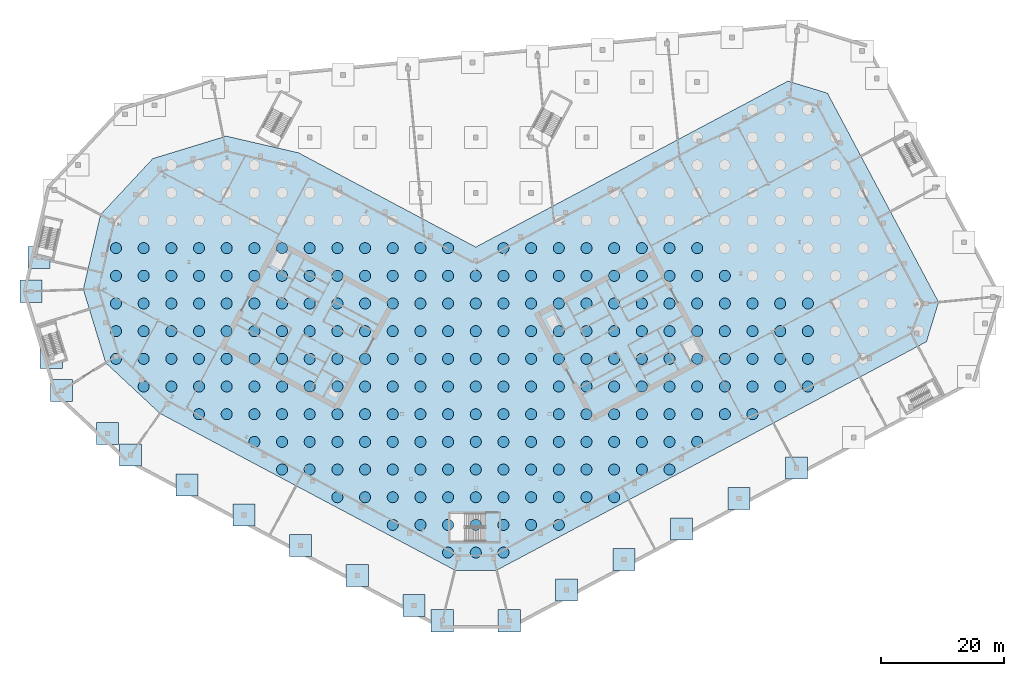
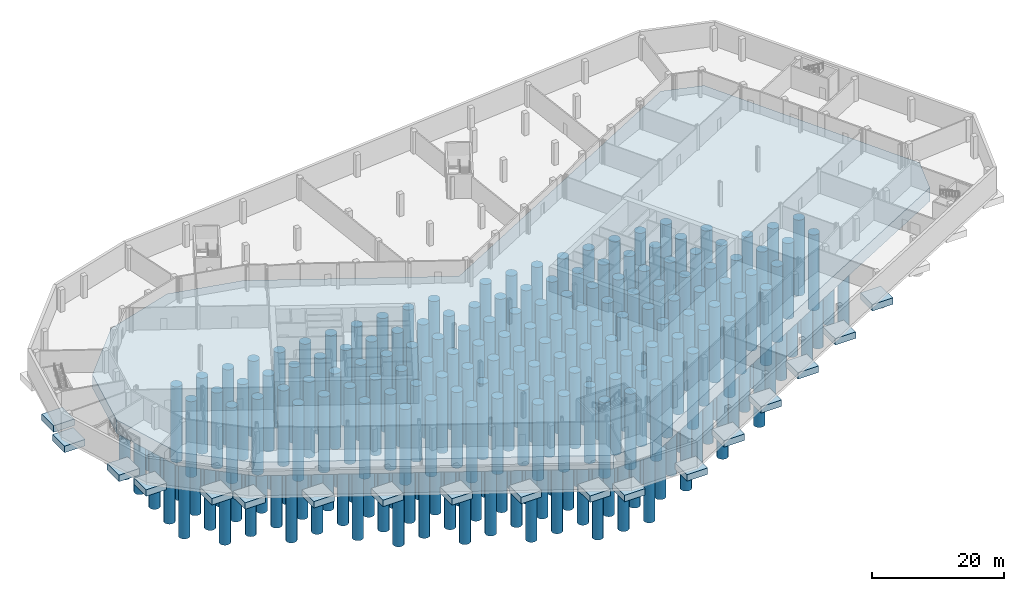
# One storey, part 1 of 29: 221 piles, 19 footings.
"""IFC4 building model written with IfcOpenShell, lengths in metres."""

import ifcopenshell
import ifcopenshell.guid

model = None  # the IFC model being written
_history = None  # IfcOwnerHistory: only IFC2X3 demands one
_inside = {}  # id of a spatial element -> (the spatial element, [elements in it])
_under = {}  # id of a project, library or spatial element -> (it, [spatial elements below it])
_declared = {}  # id of a project -> (the project, [libraries it declares])
_typed = {}  # id of a type object -> (the type object, [elements of that type])
_made_of = {}  # id of a material, layer set ... -> (it, [elements and type objects made of it])


def new_model(schema):
    """Start an empty IFC model of exactly this schema.

    Asked for "IFC4X3", IfcOpenShell would pick the latest addendum, in which some entities
    have other attributes; the version numbers below select the first issue.
    IFC2X3 requires an IfcOwnerHistory on every rooted entity: one is made here for all.
    """
    global model, _history
    if schema == "IFC4X3":
        model = ifcopenshell.file(schema_version=(4, 3, 0, 0))
    else:
        model = ifcopenshell.file(schema=schema)
    _inside.clear()
    _under.clear()
    _declared.clear()
    _typed.clear()
    _made_of.clear()
    _history = None
    if model.schema == "IFC2X3":
        org = make("IfcOrganization", Name="unknown")
        user = make(
            "IfcPersonAndOrganization",
            ThePerson=make("IfcPerson", FamilyName="unknown"),
            TheOrganization=org,
        )
        app = make(
            "IfcApplication",
            ApplicationDeveloper=org,
            Version="unknown",
            ApplicationFullName="unknown",
            ApplicationIdentifier="unknown",
        )
        _history = make(
            "IfcOwnerHistory",
            OwningUser=user,
            OwningApplication=app,
            ChangeAction="ADDED",
            CreationDate=0,
        )
    return model


def make(cls, **values):
    """One entity of the class cls with the attributes given. An attribute that is None is left unset."""
    return model.create_entity(
        cls, **{name: value for name, value in values.items() if value is not None}
    )


def rooted(cls, **values):
    """An entity with a GlobalId (a new one), such as an element, a storey or a relation."""
    return make(cls, GlobalId=ifcopenshell.guid.new(), OwnerHistory=_history, **values)


def si_unit(unit_type, name, prefix=None):
    """IfcSIUnit, for example si_unit("LENGTHUNIT", "METRE", prefix="MILLI")."""
    return make("IfcSIUnit", UnitType=unit_type, Prefix=prefix, Name=name)


def assignment(units):
    """IfcUnitAssignment: the units of a project."""
    return None if units is None else make("IfcUnitAssignment", Units=units)


def point(xyz):
    """IfcCartesianPoint."""
    return None if xyz is None else make("IfcCartesianPoint", Coordinates=xyz)


def direction(xyz):
    """IfcDirection."""
    return None if xyz is None else make("IfcDirection", DirectionRatios=xyz)


def frame(location, z_axis=None, x_axis=None):
    """IfcAxis2Placement3D, a coordinate frame: its origin and axes. An axis left out is left unset."""
    return make(
        "IfcAxis2Placement3D",
        Location=point(location),
        Axis=direction(z_axis),
        RefDirection=direction(x_axis),
    )


def frame_2d(location, x_axis=None):
    """IfcAxis2Placement2D, a coordinate frame in the plane: its origin and x axis."""
    return make(
        "IfcAxis2Placement2D", Location=point(location), RefDirection=direction(x_axis)
    )


def origin():
    """The frame at (0, 0, 0) with its axes left unset."""
    return frame((0.0, 0.0, 0.0))


def origin_2d():
    """The frame at (0, 0) in the plane with its x axis left unset."""
    return frame_2d((0.0, 0.0))


def place(relative_to, where):
    """IfcLocalPlacement: puts the frame where relative to a parent placement (None: the world)."""
    return make(
        "IfcLocalPlacement", PlacementRelTo=relative_to, RelativePlacement=where
    )


def context(
    kind, dimensions, precision=None, world=None, true_north=None, identifier=None
):
    """IfcGeometricRepresentationContext, for example the 3D "Model" context."""
    return make(
        "IfcGeometricRepresentationContext",
        ContextIdentifier=identifier,
        ContextType=kind,
        CoordinateSpaceDimension=dimensions,
        Precision=precision,
        WorldCoordinateSystem=world,
        TrueNorth=true_north,
    )


def subcontext(parent, identifier, kind, view, scale=None):
    """IfcGeometricRepresentationSubContext, for example "Body" below "Model"."""
    return make(
        "IfcGeometricRepresentationSubContext",
        ContextIdentifier=identifier,
        ContextType=kind,
        ParentContext=parent,
        TargetScale=scale,
        TargetView=view,
    )


def project(units=None, contexts=None):
    """IfcProject with its units and contexts."""
    return rooted(
        "IfcProject",
        Name="project",
        RepresentationContexts=contexts,
        UnitsInContext=assignment(units),
    )


def spatial(cls, under=None, at=None, **own):
    """A site, building, storey or space (cls), placed at a placement, below another one or the project."""
    s = rooted(cls, ObjectPlacement=at, **own)
    if under is not None:
        _under.setdefault(under.id(), (under, []))[1].append(s)
    return s


def polyline(points):
    """IfcPolyline through the points."""
    return make("IfcPolyline", Points=[point(p) for p in points])


def profile(cls, at=None, kind="AREA", **sizes):
    """A parametric profile (cls). Its sizes go by their IFC names, for example OverallWidth=200.0."""
    return make(cls, ProfileType=kind, Position=at, **sizes)


def circle(**sizes):
    """IfcCircleProfileDef."""
    return profile("IfcCircleProfileDef", **sizes)


def outline(outer, holes=None, kind="AREA"):
    """IfcArbitraryClosedProfileDef: a profile drawn as a closed curve; with holes, ...WithVoids."""
    if holes is None:
        return make("IfcArbitraryClosedProfileDef", ProfileType=kind, OuterCurve=outer)
    return make(
        "IfcArbitraryProfileDefWithVoids",
        ProfileType=kind,
        OuterCurve=outer,
        InnerCurves=holes,
    )


def extrude(swept, where, along, depth):
    """IfcExtrudedAreaSolid: the profile swept, set in the frame where, extruded along a direction by depth."""
    return make(
        "IfcExtrudedAreaSolid",
        SweptArea=swept,
        Position=where,
        ExtrudedDirection=direction(along),
        Depth=depth,
    )


def shape(context_of_items, identifier, shape_type, items):
    """IfcShapeRepresentation: the items that make up one representation, for example the "Body"."""
    return make(
        "IfcShapeRepresentation",
        ContextOfItems=context_of_items,
        RepresentationIdentifier=identifier,
        RepresentationType=shape_type,
        Items=items,
    )


def material(Name=None, Category=None):
    """IfcMaterial."""
    return make("IfcMaterial", Name=Name, Category=Category)


def layer(
    of_material, thickness, ventilated=None, Name=None, Category=None, Priority=None
):
    """IfcMaterialLayer: one layer of a wall or slab, of a material (None: an air gap)."""
    return make(
        "IfcMaterialLayer",
        Material=of_material,
        LayerThickness=thickness,
        IsVentilated=ventilated,
        Name=Name,
        Category=Category,
        Priority=Priority,
    )


def layer_set(layers, Name=None):
    """IfcMaterialLayerSet."""
    return make("IfcMaterialLayerSet", MaterialLayers=layers, LayerSetName=Name)


def material_profile(
    of_material, cross_section, Name=None, Category=None, Priority=None
):
    """IfcMaterialProfile: a cross section and its material."""
    return make(
        "IfcMaterialProfile",
        Name=Name,
        Material=of_material,
        Profile=cross_section,
        Priority=Priority,
        Category=Category,
    )


def profile_set(profiles, Name=None, composite=None):
    """IfcMaterialProfileSet."""
    return make(
        "IfcMaterialProfileSet",
        Name=Name,
        MaterialProfiles=profiles,
        CompositeProfile=composite,
    )


def made_of(thing, what):
    """Note that an element or type object is made of a material, layer set ...; save() writes the relation."""
    if what is not None:
        _made_of.setdefault(what.id(), (what, []))[1].append(thing)
    return thing


def type_object(cls, material=None, **own):
    """A type object (cls), such as IfcWallType, which elements share."""
    return made_of(rooted(cls, **own), material)


def element(
    cls,
    number,
    at=None,
    inside=None,
    cuts=None,
    type_object=None,
    material=None,
    context=None,
    identifier="Body",
    shape_type=None,
    held_by="IfcProductDefinitionShape",
    body=None,
    shapes=None,
    **own,
):
    """One element of the class cls, such as IfcWall. Its Tag is "e" and its number.

    at: its placement. inside: the storey or other place that contains it. cuts: it is an
    opening in that element (IfcRelVoidsElement). A single representation is given by context,
    identifier, shape_type and body (its items); several are given by shapes. held_by: the class
    of the entity that holds the representations. save() writes the other relations.
    """
    e = rooted(cls, Tag="e%d" % number, ObjectPlacement=at, **own)
    if body is not None:
        shapes = [shape(context, identifier, shape_type, body)]
    if shapes is not None:
        e.Representation = make(held_by, Representations=shapes)
    if inside is not None:
        _inside.setdefault(inside.id(), (inside, []))[1].append(e)
    if cuts is not None:
        rooted(
            "IfcRelVoidsElement", RelatingBuildingElement=cuts, RelatedOpeningElement=e
        )
    if type_object is not None:
        _typed.setdefault(type_object.id(), (type_object, []))[1].append(e)
    return made_of(e, material)


def aggregate(whole, parts):
    """IfcRelAggregates: a whole, such as a stair, and the parts it consists of."""
    return rooted("IfcRelAggregates", RelatingObject=whole, RelatedObjects=parts)


def save(model, path):
    """Write the relations noted so far, then the file.

    IfcRelAggregates (storeys below a building ...), IfcRelContainedInSpatialStructure (elements
    in a storey), IfcRelDefinesByType, IfcRelAssociatesMaterial and IfcRelDeclares: one each for
    every whole, place, type object, material and project.
    """
    for whole, parts in _under.values():
        aggregate(whole, parts)
    for where, things in _inside.values():
        rooted(
            "IfcRelContainedInSpatialStructure",
            RelatedElements=things,
            RelatingStructure=where,
        )
    for kind, things in _typed.values():
        rooted("IfcRelDefinesByType", RelatedObjects=things, RelatingType=kind)
    for what, things in _made_of.values():
        rooted("IfcRelAssociatesMaterial", RelatedObjects=things, RelatingMaterial=what)
    for by, libraries in _declared.values():
        rooted("IfcRelDeclares", RelatingContext=by, RelatedDefinitions=libraries)
    model.write(path)


model = new_model("IFC4")

# Units and contexts
model_context = context("Model", 3, precision=1e-05, world=origin(), true_north=direction((0.0, 1.0)))
body_context = subcontext(model_context, "Body", "Model", "MODEL_VIEW")
ifc_project = project(units=[si_unit("LENGTHUNIT", "METRE"), si_unit("AREAUNIT", "SQUARE_METRE"), si_unit("VOLUMEUNIT", "CUBIC_METRE"), si_unit("PLANEANGLEUNIT", "RADIAN"), si_unit("MASSUNIT", "GRAM", prefix="KILO")], contexts=[model_context])

# Site, building, storey
site_placement = place(None, origin())
site = spatial("IfcSite", under=ifc_project, at=site_placement, CompositionType="ELEMENT")
building_placement = place(site_placement, origin())
building = spatial("IfcBuilding", under=site, at=building_placement, Name="Cormorant Relay Tower", CompositionType="ELEMENT")
storey_placement = place(building_placement, frame((0.0, 0.0, -9.0)))
storey = spatial("IfcBuildingStorey", under=building, at=storey_placement, Name="B2", CompositionType="ELEMENT", Elevation=-9.0)

# Footings
ifc_material_1 = material(Name="Concrete 40 MPa", Category="concrete")
ifc_layer_1 = layer(ifc_material_1, 1.199951171875)
ifc_layer_set_1 = layer_set([ifc_layer_1], Name="Base pad footing 3600")
footing_type_1 = type_object("IfcFootingType", Name="Base pad footing 3600", PredefinedType="PAD_FOOTING", material=ifc_layer_set_1)
footing_1_placement = place(storey_placement, frame((0.0, 0.0, -1.699951171875)))
element("IfcFooting", 1, at=footing_1_placement, inside=storey, type_object=footing_type_1, Name="Base pad footing", PredefinedType="PAD_FOOTING", context=body_context, shape_type="SweptSolid", body=[
    extrude(outline(polyline([(-7.240966796875, -35.3759765625), (-3.64111328125, -35.3759765625), (-3.64111328125, -31.77587890625), (-7.240966796875, -31.77587890625), (-7.240966796875, -35.3759765625)])), origin(), (0.0, 0.0, 1.0), 1.199951171875),
])
footing_2_placement = place(storey_placement, frame((0.0, 0.0, -1.699951171875)))
element("IfcFooting", 2, at=footing_2_placement, inside=storey, type_object=footing_type_1, Name="Base pad footing", PredefinedType="PAD_FOOTING", context=body_context, shape_type="SweptSolid", body=[
    extrude(outline(polyline([(3.64111328125, -35.3759765625), (7.240966796875, -35.3759765625), (7.240966796875, -31.77587890625), (3.64111328125, -31.77587890625), (3.64111328125, -35.3759765625)])), origin(), (0.0, 0.0, 1.0), 1.199951171875),
])
footing_3_placement = place(storey_placement, frame((0.0, 0.0, -1.699951171875)))
element("IfcFooting", 3, at=footing_3_placement, inside=storey, type_object=footing_type_1, Name="Base pad footing", PredefinedType="PAD_FOOTING", context=body_context, shape_type="SweptSolid", body=[
    extrude(outline(polyline([(-11.85107421875, -32.924072265625), (-8.2509765625, -32.924072265625), (-8.2509765625, -29.323974609375), (-11.85107421875, -29.323974609375), (-11.85107421875, -32.924072265625)])), origin(), (0.0, 0.0, 1.0), 1.199951171875),
])
footing_4_placement = place(storey_placement, frame((0.0, 0.0, -1.699951171875)))
element("IfcFooting", 4, at=footing_4_placement, inside=storey, type_object=footing_type_1, Name="Base pad footing", PredefinedType="PAD_FOOTING", context=body_context, shape_type="SweptSolid", body=[
    extrude(outline(polyline([(12.97802734375, -30.410888671875), (16.577880859375, -30.410888671875), (16.577880859375, -26.81103515625), (12.97802734375, -26.81103515625), (12.97802734375, -30.410888671875)])), origin(), (0.0, 0.0, 1.0), 1.199951171875),
])
footing_5_placement = place(storey_placement, frame((0.0, 0.0, -1.699951171875)))
element("IfcFooting", 5, at=footing_5_placement, inside=storey, type_object=footing_type_1, Name="Base pad footing", PredefinedType="PAD_FOOTING", context=body_context, shape_type="SweptSolid", body=[
    extrude(outline(polyline([(-21.071044921875, -28.02197265625), (-17.470947265625, -28.02197265625), (-17.470947265625, -24.422119140625), (-21.071044921875, -24.422119140625), (-21.071044921875, -28.02197265625)])), origin(), (0.0, 0.0, 1.0), 1.199951171875),
])
footing_6_placement = place(storey_placement, frame((0.0, 0.0, -1.699951171875)))
element("IfcFooting", 6, at=footing_6_placement, inside=storey, type_object=footing_type_1, Name="Base pad footing", PredefinedType="PAD_FOOTING", context=body_context, shape_type="SweptSolid", body=[
    extrude(outline(polyline([(22.31494140625, -25.447021484375), (25.9150390625, -25.447021484375), (25.9150390625, -21.846923828125), (22.31494140625, -21.846923828125), (22.31494140625, -25.447021484375)])), origin(), (0.0, 0.0, 1.0), 1.199951171875),
])
footing_7_placement = place(storey_placement, frame((0.0, 0.0, -1.699951171875)))
element("IfcFooting", 7, at=footing_7_placement, inside=storey, type_object=footing_type_1, Name="Base pad footing", PredefinedType="PAD_FOOTING", context=body_context, shape_type="SweptSolid", body=[
    extrude(outline(polyline([(-30.291015625, -23.1201171875), (-26.69091796875, -23.1201171875), (-26.69091796875, -19.52001953125), (-30.291015625, -19.52001953125), (-30.291015625, -23.1201171875)])), origin(), (0.0, 0.0, 1.0), 1.199951171875),
])
footing_8_placement = place(storey_placement, frame((0.0, 0.0, -1.699951171875)))
element("IfcFooting", 8, at=footing_8_placement, inside=storey, type_object=footing_type_1, Name="Base pad footing", PredefinedType="PAD_FOOTING", context=body_context, shape_type="SweptSolid", body=[
    extrude(outline(polyline([(31.652099609375, -20.48193359375), (35.251953125, -20.48193359375), (35.251953125, -16.882080078125), (31.652099609375, -16.882080078125), (31.652099609375, -20.48193359375)])), origin(), (0.0, 0.0, 1.0), 1.199951171875),
])
footing_9_placement = place(storey_placement, frame((0.0, 0.0, -1.699951171875)))
element("IfcFooting", 9, at=footing_9_placement, inside=storey, type_object=footing_type_1, Name="Base pad footing", PredefinedType="PAD_FOOTING", context=body_context, shape_type="SweptSolid", body=[
    extrude(outline(polyline([(-39.510986328125, -18.217041015625), (-35.910888671875, -18.217041015625), (-35.910888671875, -14.616943359375), (-39.510986328125, -14.616943359375), (-39.510986328125, -18.217041015625)])), origin(), (0.0, 0.0, 1.0), 1.199951171875),
])
footing_10_placement = place(storey_placement, frame((0.0, 0.0, -1.699951171875)))
element("IfcFooting", 10, at=footing_10_placement, inside=storey, type_object=footing_type_1, Name="Base pad footing", PredefinedType="PAD_FOOTING", context=body_context, shape_type="SweptSolid", body=[
    extrude(outline(polyline([(40.989013671875, -15.51708984375), (44.589111328125, -15.51708984375), (44.589111328125, -11.9169921875), (40.989013671875, -11.9169921875), (40.989013671875, -15.51708984375)])), origin(), (0.0, 0.0, 1.0), 1.199951171875),
])
footing_11_placement = place(storey_placement, frame((0.0, 0.0, -1.699951171875)))
element("IfcFooting", 11, at=footing_11_placement, inside=storey, type_object=footing_type_1, Name="Base pad footing", PredefinedType="PAD_FOOTING", context=body_context, shape_type="SweptSolid", body=[
    extrude(outline(polyline([(-48.73095703125, -13.31494140625), (-45.131103515625, -13.31494140625), (-45.131103515625, -9.715087890625), (-48.73095703125, -9.715087890625), (-48.73095703125, -13.31494140625)])), origin(), (0.0, 0.0, 1.0), 1.199951171875),
])
footing_12_placement = place(storey_placement, frame((0.0, 0.0, -1.699951171875)))
element("IfcFooting", 12, at=footing_12_placement, inside=storey, type_object=footing_type_1, Name="Base pad footing", PredefinedType="PAD_FOOTING", context=body_context, shape_type="SweptSolid", body=[
    extrude(outline(polyline([(50.325927734375, -10.552978515625), (53.926025390625, -10.552978515625), (53.926025390625, -6.952880859375), (50.325927734375, -6.952880859375), (50.325927734375, -10.552978515625)])), origin(), (0.0, 0.0, 1.0), 1.199951171875),
])
footing_13_placement = place(storey_placement, frame((0.0, 0.0, -1.699951171875)))
element("IfcFooting", 13, at=footing_13_placement, inside=storey, type_object=footing_type_1, Name="Base pad footing", PredefinedType="PAD_FOOTING", context=body_context, shape_type="SweptSolid", body=[
    extrude(outline(polyline([(-57.951904296875, -8.412109375), (-54.35205078125, -8.412109375), (-54.35205078125, -4.81201171875), (-57.951904296875, -4.81201171875), (-57.951904296875, -8.412109375)])), origin(), (0.0, 0.0, 1.0), 1.199951171875),
])
footing_14_placement = place(storey_placement, frame((0.0, 0.0, -1.699951171875)))
element("IfcFooting", 14, at=footing_14_placement, inside=storey, type_object=footing_type_1, Name="Base pad footing", PredefinedType="PAD_FOOTING", context=body_context, shape_type="SweptSolid", body=[
    extrude(outline(polyline([(-61.693115234375, -4.924072265625), (-58.093017578125, -4.924072265625), (-58.093017578125, -1.323974609375), (-61.693115234375, -1.323974609375), (-61.693115234375, -4.924072265625)])), origin(), (0.0, 0.0, 1.0), 1.199951171875),
])
footing_15_placement = place(storey_placement, frame((0.0, 0.0, -1.699951171875)))
element("IfcFooting", 15, at=footing_15_placement, inside=storey, type_object=footing_type_1, Name="Base pad footing", PredefinedType="PAD_FOOTING", context=body_context, shape_type="SweptSolid", body=[
    extrude(outline(polyline([(-69.175048828125, 2.052978515625), (-65.574951171875, 2.052978515625), (-65.574951171875, 5.653076171875), (-69.175048828125, 5.653076171875), (-69.175048828125, 2.052978515625)])), origin(), (0.0, 0.0, 1.0), 1.199951171875),
])
footing_16_placement = place(storey_placement, frame((0.0, 0.0, -1.699951171875)))
element("IfcFooting", 16, at=footing_16_placement, inside=storey, type_object=footing_type_1, Name="Base pad footing", PredefinedType="PAD_FOOTING", context=body_context, shape_type="SweptSolid", body=[
    extrude(outline(polyline([(-70.819091796875, 7.431884765625), (-67.218994140625, 7.431884765625), (-67.218994140625, 11.031982421875), (-70.819091796875, 11.031982421875), (-70.819091796875, 7.431884765625)])), origin(), (0.0, 0.0, 1.0), 1.199951171875),
])
footing_17_placement = place(storey_placement, frame((0.0, 0.0, -1.699951171875)))
element("IfcFooting", 17, at=footing_17_placement, inside=storey, type_object=footing_type_1, Name="Base pad footing", PredefinedType="PAD_FOOTING", context=body_context, shape_type="SweptSolid", body=[
    extrude(outline(polyline([(-74.10791015625, 18.18896484375), (-70.508056640625, 18.18896484375), (-70.508056640625, 21.7890625), (-74.10791015625, 21.7890625), (-74.10791015625, 18.18896484375)])), origin(), (0.0, 0.0, 1.0), 1.199951171875),
])
footing_18_placement = place(storey_placement, frame((0.0, 0.0, -1.699951171875)))
element("IfcFooting", 18, at=footing_18_placement, inside=storey, type_object=footing_type_1, Name="Base pad footing", PredefinedType="PAD_FOOTING", context=body_context, shape_type="SweptSolid", body=[
    extrude(outline(polyline([(-72.843017578125, 23.6689453125), (-69.242919921875, 23.6689453125), (-69.242919921875, 27.26904296875), (-72.843017578125, 27.26904296875), (-72.843017578125, 23.6689453125)])), origin(), (0.0, 0.0, 1.0), 1.199951171875),
])

# Piles
ifc_material_2 = material(Name="Concrete 40 MPa", Category="concrete")
ifc_material_profile = material_profile(ifc_material_2, circle(Radius=0.89990234375, at=origin_2d()), Name="BP1800")
ifc_profile_set = profile_set([ifc_material_profile], Name="Concrete 40 MPa")
pile_type = type_object("IfcPileType", Name="Bored pile D1800", PredefinedType="BORED", material=ifc_profile_set)
for number, where, z_axis, x_axis, name in (
    (19, (-4.5, -22.5, -2.89990234375), (0.0, 0.0, -1.0), (1.0, 0.0, 0.0), "Pile 1"),
    (20, (0.0, -22.5, -2.89990234375), (0.0, 0.0, -1.0), (1.0, 0.0, 0.0), "Pile 2"),
    (21, (4.5, -22.5, -2.89990234375), (0.0, 0.0, -1.0), (1.0, 0.0, 0.0), "Pile 3"),
    (22, (-13.5, -18.0, -2.89990234375), (0.0, 0.0, -1.0), (1.0, 0.0, 0.0), "Pile 4"),
    (23, (-9.0, -18.0, -2.89990234375), (0.0, 0.0, -1.0), (1.0, 0.0, 0.0), "Pile 5"),
    (24, (-4.5, -18.0, -2.89990234375), (0.0, 0.0, -1.0), (1.0, 0.0, 0.0), "Pile 6"),
    (25, (0.0, -18.0, -2.89990234375), (0.0, 0.0, -1.0), (1.0, 0.0, 0.0), "Pile 7"),
    (26, (4.5, -18.0, -2.89990234375), (0.0, 0.0, -1.0), (1.0, 0.0, 0.0), "Pile 8"),
    (27, (9.0, -18.0, -2.89990234375), (0.0, 0.0, -1.0), (1.0, 0.0, 0.0), "Pile 9"),
    (28, (13.5, -18.0, -2.89990234375), (0.0, 0.0, -1.0), (1.0, 0.0, 0.0), "Pile 10"),
    (29, (-22.5, -13.5, -2.89990234375), (0.0, 0.0, -1.0), (1.0, 0.0, 0.0), "Pile 11"),
    (30, (-18.0, -13.5, -2.89990234375), (0.0, 0.0, -1.0), (1.0, 0.0, 0.0), "Pile 12"),
    (31, (-13.5, -13.5, -2.89990234375), (0.0, 0.0, -1.0), (1.0, 0.0, 0.0), "Pile 13"),
    (32, (-9.0, -13.5, -2.89990234375), (0.0, 0.0, -1.0), (1.0, 0.0, 0.0), "Pile 14"),
    (33, (-4.5, -13.5, -2.89990234375), (0.0, 0.0, -1.0), (1.0, 0.0, 0.0), "Pile 15"),
    (34, (0.0, -13.5, -2.89990234375), (0.0, 0.0, -1.0), (1.0, 0.0, 0.0), "Pile 16"),
    (35, (4.5, -13.5, -2.89990234375), (0.0, 0.0, -1.0), (1.0, 0.0, 0.0), "Pile 17"),
    (36, (9.0, -13.5, -2.89990234375), (0.0, 0.0, -1.0), (1.0, 0.0, 0.0), "Pile 18"),
    (37, (13.5, -13.5, -2.89990234375), (0.0, 0.0, -1.0), (1.0, 0.0, 0.0), "Pile 19"),
    (38, (18.0, -13.5, -2.89990234375), (0.0, 0.0, -1.0), (1.0, 0.0, 0.0), "Pile 20"),
    (39, (22.5, -13.5, -2.89990234375), (0.0, 0.0, -1.0), (1.0, 0.0, 0.0), "Pile 21"),
    (40, (-31.5, -9.0, -2.89990234375), (0.0, 0.0, -1.0), (1.0, 0.0, 0.0), "Pile 22"),
    (41, (-27.0, -9.0, -2.89990234375), (0.0, 0.0, -1.0), (1.0, 0.0, 0.0), "Pile 23"),
    (42, (-22.5, -9.0, -2.89990234375), (0.0, 0.0, -1.0), (1.0, 0.0, 0.0), "Pile 24"),
    (43, (-18.0, -9.0, -2.89990234375), (0.0, 0.0, -1.0), (1.0, 0.0, 0.0), "Pile 25"),
    (44, (-13.5, -9.0, -2.89990234375), (0.0, 0.0, -1.0), (1.0, 0.0, 0.0), "Pile 26"),
    (45, (-9.0, -9.0, -2.89990234375), (0.0, 0.0, -1.0), (1.0, 0.0, 0.0), "Pile 27"),
    (46, (-4.5, -9.0, -2.89990234375), (0.0, 0.0, -1.0), (1.0, 0.0, 0.0), "Pile 28"),
    (47, (0.0, -9.0, -2.89990234375), (0.0, 0.0, -1.0), (1.0, 0.0, 0.0), "Pile 29"),
    (48, (4.5, -9.0, -2.89990234375), (0.0, 0.0, -1.0), (1.0, 0.0, 0.0), "Pile 30"),
    (49, (9.0, -9.0, -2.89990234375), (0.0, 0.0, -1.0), (1.0, 0.0, 0.0), "Pile 31"),
    (50, (13.5, -9.0, -2.89990234375), (0.0, 0.0, -1.0), (1.0, 0.0, 0.0), "Pile 32"),
    (51, (18.0, -9.0, -2.89990234375), (0.0, 0.0, -1.0), (1.0, 0.0, 0.0), "Pile 33"),
    (52, (22.5, -9.0, -2.89990234375), (0.0, 0.0, -1.0), (1.0, 0.0, 0.0), "Pile 34"),
    (53, (27.0, -9.0, -2.89990234375), (0.0, 0.0, -1.0), (1.0, 0.0, 0.0), "Pile 35"),
    (54, (31.5, -9.0, -2.89990234375), (0.0, 0.0, -1.0), (1.0, 0.0, 0.0), "Pile 36"),
    (55, (-36.0, -4.5, -2.89990234375), (0.0, 0.0, -1.0), (1.0, 0.0, 0.0), "Pile 37"),
    (56, (-31.5, -4.5, -2.89990234375), (0.0, 0.0, -1.0), (1.0, 0.0, 0.0), "Pile 38"),
    (57, (-27.0, -4.5, -2.89990234375), (0.0, 0.0, -1.0), (1.0, 0.0, 0.0), "Pile 39"),
    (58, (-22.5, -4.5, -2.89990234375), (0.0, 0.0, -1.0), (1.0, 0.0, 0.0), "Pile 40"),
    (59, (-18.0, -4.5, -2.89990234375), (0.0, 0.0, -1.0), (1.0, 0.0, 0.0), "Pile 41"),
    (60, (-13.5, -4.5, -2.89990234375), (0.0, 0.0, -1.0), (1.0, 0.0, 0.0), "Pile 42"),
    (61, (-9.0, -4.5, -2.89990234375), (0.0, 0.0, -1.0), (1.0, 0.0, 0.0), "Pile 43"),
    (62, (-4.5, -4.5, -2.89990234375), (0.0, 0.0, -1.0), (1.0, 0.0, 0.0), "Pile 44"),
    (63, (0.0, -4.5, -2.89990234375), (0.0, 0.0, -1.0), (1.0, 0.0, 0.0), "Pile 45"),
    (64, (4.5, -4.5, -2.89990234375), (0.0, 0.0, -1.0), (1.0, 0.0, 0.0), "Pile 46"),
    (65, (9.0, -4.5, -2.89990234375), (0.0, 0.0, -1.0), (1.0, 0.0, 0.0), "Pile 47"),
    (66, (13.5, -4.5, -2.89990234375), (0.0, 0.0, -1.0), (1.0, 0.0, 0.0), "Pile 48"),
    (67, (18.0, -4.5, -2.89990234375), (0.0, 0.0, -1.0), (1.0, 0.0, 0.0), "Pile 49"),
    (68, (22.5, -4.5, -2.89990234375), (0.0, 0.0, -1.0), (1.0, 0.0, 0.0), "Pile 50"),
    (69, (27.0, -4.5, -2.89990234375), (0.0, 0.0, -1.0), (1.0, 0.0, 0.0), "Pile 51"),
    (70, (31.5, -4.5, -2.89990234375), (0.0, 0.0, -1.0), (1.0, 0.0, 0.0), "Pile 52"),
    (71, (36.0, -4.5, -2.89990234375), (0.0, 0.0, -1.0), (1.0, 0.0, 0.0), "Pile 53"),
    (72, (-45.0, 0.0, -2.89990234375), (0.0, 0.0, -1.0), (1.0, 0.0, 0.0), "Pile 54"),
    (73, (-40.5, 0.0, -2.89990234375), (0.0, 0.0, -1.0), (1.0, 0.0, 0.0), "Pile 55"),
    (74, (-36.0, 0.0, -2.89990234375), (0.0, 0.0, -1.0), (1.0, 0.0, 0.0), "Pile 56"),
    (75, (-31.5, 0.0, -2.89990234375), (0.0, 0.0, -1.0), (1.0, 0.0, 0.0), "Pile 57"),
    (76, (-27.0, 0.0, -2.89990234375), (0.0, 0.0, -1.0), (1.0, 0.0, 0.0), "Pile 58"),
    (77, (-22.5, 0.0, -2.89990234375), (0.0, 0.0, -1.0), (1.0, 0.0, 0.0), "Pile 59"),
    (78, (-18.0, 0.0, -2.89990234375), (0.0, 0.0, -1.0), (1.0, 0.0, 0.0), "Pile 60"),
    (79, (-13.5, 0.0, -2.89990234375), (0.0, 0.0, -1.0), (1.0, 0.0, 0.0), "Pile 61"),
    (80, (-9.0, 0.0, -2.89990234375), (0.0, 0.0, -1.0), (1.0, 0.0, 0.0), "Pile 62"),
    (81, (-4.5, 0.0, -2.89990234375), (0.0, 0.0, -1.0), (1.0, 0.0, 0.0), "Pile 63"),
    (82, (0.0, 0.0, -2.89990234375), (0.0, 0.0, -1.0), (1.0, 0.0, 0.0), "Pile 64"),
    (83, (4.5, 0.0, -2.89990234375), (0.0, 0.0, -1.0), (1.0, 0.0, 0.0), "Pile 65"),
    (84, (9.0, 0.0, -2.89990234375), (0.0, 0.0, -1.0), (1.0, 0.0, 0.0), "Pile 66"),
    (85, (13.5, 0.0, -2.89990234375), (0.0, 0.0, -1.0), (1.0, 0.0, 0.0), "Pile 67"),
    (86, (18.0, 0.0, -2.89990234375), (0.0, 0.0, -1.0), (1.0, 0.0, 0.0), "Pile 68"),
    (87, (22.5, 0.0, -2.89990234375), (0.0, 0.0, -1.0), (1.0, 0.0, 0.0), "Pile 69"),
    (88, (27.0, 0.0, -2.89990234375), (0.0, 0.0, -1.0), (1.0, 0.0, 0.0), "Pile 70"),
    (89, (31.5, 0.0, -2.89990234375), (0.0, 0.0, -1.0), (1.0, 0.0, 0.0), "Pile 71"),
    (90, (36.0, 0.0, -2.89990234375), (0.0, 0.0, -1.0), (1.0, 0.0, 0.0), "Pile 72"),
    (91, (40.5, 0.0, -2.89990234375), (0.0, 0.0, -1.0), (1.0, 0.0, 0.0), "Pile 73"),
    (92, (45.0, 0.0, -2.89990234375), (0.0, 0.0, -1.0), (1.0, 0.0, 0.0), "Pile 74"),
    (93, (-54.0, 4.5, -2.89990234375), (0.0, 0.0, -1.0), (1.0, 0.0, 0.0), "Pile 75"),
    (94, (-49.5, 4.5, -2.89990234375), (0.0, 0.0, -1.0), (1.0, 0.0, 0.0), "Pile 76"),
    (95, (-45.0, 4.5, -2.89990234375), (0.0, 0.0, -1.0), (1.0, 0.0, 0.0), "Pile 77"),
    (96, (-40.5, 4.5, -2.89990234375), (0.0, 0.0, -1.0), (1.0, 0.0, 0.0), "Pile 78"),
    (97, (-36.0, 4.5, -2.89990234375), (0.0, 0.0, -1.0), (1.0, 0.0, 0.0), "Pile 79"),
    (98, (-31.5, 4.5, -2.89990234375), (0.0, 0.0, -1.0), (1.0, 0.0, 0.0), "Pile 80"),
    (99, (-27.0, 4.5, -2.89990234375), (0.0, 0.0, -1.0), (1.0, 0.0, 0.0), "Pile 81"),
    (100, (-22.5, 4.5, -2.89990234375), (0.0, 0.0, -1.0), (1.0, 0.0, 0.0), "Pile 82"),
    (101, (-18.0, 4.5, -2.89990234375), (0.0, 0.0, -1.0), (1.0, 0.0, 0.0), "Pile 83"),
    (102, (-13.5, 4.5, -2.89990234375), (0.0, 0.0, -1.0), (1.0, 0.0, 0.0), "Pile 84"),
    (103, (-9.0, 4.5, -2.89990234375), (0.0, 0.0, -1.0), (1.0, 0.0, 0.0), "Pile 85"),
    (104, (-4.5, 4.5, -2.89990234375), (0.0, 0.0, -1.0), (1.0, 0.0, 0.0), "Pile 86"),
    (105, (0.0, 4.5, -2.89990234375), (0.0, 0.0, -1.0), (1.0, 0.0, 0.0), "Pile 87"),
    (106, (4.5, 4.5, -2.89990234375), (0.0, 0.0, -1.0), (1.0, 0.0, 0.0), "Pile 88"),
    (107, (9.0, 4.5, -2.89990234375), (0.0, 0.0, -1.0), (1.0, 0.0, 0.0), "Pile 89"),
    (108, (13.5, 4.5, -2.89990234375), (0.0, 0.0, -1.0), (1.0, 0.0, 0.0), "Pile 90"),
    (109, (18.0, 4.5, -2.89990234375), (0.0, 0.0, -1.0), (1.0, 0.0, 0.0), "Pile 91"),
    (110, (22.5, 4.5, -2.89990234375), (0.0, 0.0, -1.0), (1.0, 0.0, 0.0), "Pile 92"),
    (111, (27.0, 4.5, -2.89990234375), (0.0, 0.0, -1.0), (1.0, 0.0, 0.0), "Pile 93"),
    (112, (31.5, 4.5, -2.89990234375), (0.0, 0.0, -1.0), (1.0, 0.0, 0.0), "Pile 94"),
    (113, (36.0, 4.5, -2.89990234375), (0.0, 0.0, -1.0), (1.0, 0.0, 0.0), "Pile 95"),
    (114, (40.5, 4.5, -2.89990234375), (0.0, 0.0, -1.0), (1.0, 0.0, 0.0), "Pile 96"),
    (115, (45.0, 4.5, -2.89990234375), (0.0, 0.0, -1.0), (1.0, 0.0, 0.0), "Pile 97"),
    (116, (49.5, 4.5, -2.89990234375), (0.0, 0.0, -1.0), (1.0, 0.0, 0.0), "Pile 98"),
    (117, (54.0, 4.5, -2.89990234375), (0.0, 0.0, -1.0), (1.0, 0.0, 0.0), "Pile 99"),
    (118, (-58.5, 9.0, -2.89990234375), (0.0, 0.0, -1.0), (1.0, 0.0, 0.0), "Pile 100"),
    (119, (-54.0, 9.0, -2.89990234375), (0.0, 0.0, -1.0), (1.0, 0.0, 0.0), "Pile 101"),
    (120, (-49.5, 9.0, -2.89990234375), (0.0, 0.0, -1.0), (1.0, 0.0, 0.0), "Pile 102"),
    (121, (-45.0, 9.0, -2.89990234375), (0.0, 0.0, -1.0), (1.0, 0.0, 0.0), "Pile 103"),
    (122, (-40.5, 9.0, -2.89990234375), (0.0, 0.0, -1.0), (1.0, 0.0, 0.0), "Pile 104"),
    (123, (-36.0, 9.0, -2.89990234375), (0.0, 0.0, -1.0), (1.0, 0.0, 0.0), "Pile 105"),
    (124, (-31.5, 9.0, -2.89990234375), (0.0, 0.0, -1.0), (1.0, 0.0, 0.0), "Pile 106"),
    (125, (-27.0, 9.0, -2.89990234375), (0.0, 0.0, -1.0), (1.0, 0.0, 0.0), "Pile 107"),
    (126, (-22.5, 9.0, -2.89990234375), (0.0, 0.0, -1.0), (1.0, 0.0, 0.0), "Pile 108"),
    (127, (-18.0, 9.0, -2.89990234375), (0.0, 0.0, -1.0), (1.0, 0.0, 0.0), "Pile 109"),
    (128, (-13.5, 9.0, -2.89990234375), (0.0, 0.0, -1.0), (1.0, 0.0, 0.0), "Pile 110"),
    (129, (-9.0, 9.0, -2.89990234375), (0.0, 0.0, -1.0), (1.0, 0.0, 0.0), "Pile 111"),
    (130, (-4.5, 9.0, -2.89990234375), (0.0, 0.0, -1.0), (1.0, 0.0, 0.0), "Pile 112"),
    (131, (0.0, 9.0, -2.89990234375), (0.0, 0.0, -1.0), (1.0, 0.0, 0.0), "Pile 113"),
    (132, (4.5, 9.0, -2.89990234375), (0.0, 0.0, -1.0), (1.0, 0.0, 0.0), "Pile 114"),
    (133, (9.0, 9.0, -2.89990234375), (0.0, 0.0, -1.0), (1.0, 0.0, 0.0), "Pile 115"),
    (134, (13.5, 9.0, -2.89990234375), (0.0, 0.0, -1.0), (1.0, 0.0, 0.0), "Pile 116"),
    (135, (18.0, 9.0, -2.89990234375), (0.0, 0.0, -1.0), (1.0, 0.0, 0.0), "Pile 117"),
    (136, (22.5, 9.0, -2.89990234375), (0.0, 0.0, -1.0), (1.0, 0.0, 0.0), "Pile 118"),
    (137, (27.0, 9.0, -2.89990234375), (0.0, 0.0, -1.0), (1.0, 0.0, 0.0), "Pile 119"),
    (138, (31.5, 9.0, -2.89990234375), (0.0, 0.0, -1.0), (1.0, 0.0, 0.0), "Pile 120"),
    (139, (36.0, 9.0, -2.89990234375), (0.0, 0.0, -1.0), (1.0, 0.0, 0.0), "Pile 121"),
    (140, (40.5, 9.0, -2.89990234375), (0.0, 0.0, -1.0), (1.0, 0.0, 0.0), "Pile 122"),
    (141, (45.0, 9.0, -2.89990234375), (0.0, 0.0, -1.0), (1.0, 0.0, 0.0), "Pile 123"),
    (142, (49.5, 9.0, -2.89990234375), (0.0, 0.0, -1.0), (1.0, 0.0, 0.0), "Pile 124"),
    (143, (54.0, 9.0, -2.89990234375), (0.0, 0.0, -1.0), (1.0, 0.0, 0.0), "Pile 125"),
    (144, (-58.5, 13.5, -2.89990234375), (0.0, 0.0, -1.0), (1.0, 0.0, 0.0), "Pile 128"),
    (145, (-54.0, 13.5, -2.89990234375), (0.0, 0.0, -1.0), (1.0, 0.0, 0.0), "Pile 129"),
    (146, (-49.5, 13.5, -2.89990234375), (0.0, 0.0, -1.0), (1.0, 0.0, 0.0), "Pile 130"),
    (147, (-45.0, 13.5, -2.89990234375), (0.0, 0.0, -1.0), (1.0, 0.0, 0.0), "Pile 131"),
    (148, (-40.5, 13.5, -2.89990234375), (0.0, 0.0, -1.0), (1.0, 0.0, 0.0), "Pile 132"),
    (149, (-36.0, 13.5, -2.89990234375), (0.0, 0.0, -1.0), (1.0, 0.0, 0.0), "Pile 133"),
    (150, (-31.5, 13.5, -2.89990234375), (0.0, 0.0, -1.0), (1.0, 0.0, 0.0), "Pile 134"),
    (151, (-27.0, 13.5, -2.89990234375), (0.0, 0.0, -1.0), (1.0, 0.0, 0.0), "Pile 135"),
    (152, (-22.5, 13.5, -2.89990234375), (0.0, 0.0, -1.0), (1.0, 0.0, 0.0), "Pile 136"),
    (153, (-18.0, 13.5, -2.89990234375), (0.0, 0.0, -1.0), (1.0, 0.0, 0.0), "Pile 137"),
    (154, (-13.5, 13.5, -2.89990234375), (0.0, 0.0, -1.0), (1.0, 0.0, 0.0), "Pile 138"),
    (155, (-9.0, 13.5, -2.89990234375), (0.0, 0.0, -1.0), (1.0, 0.0, 0.0), "Pile 139"),
    (156, (-4.5, 13.5, -2.89990234375), (0.0, 0.0, -1.0), (1.0, 0.0, 0.0), "Pile 140"),
    (157, (0.0, 13.5, -2.89990234375), (0.0, 0.0, -1.0), (1.0, 0.0, 0.0), "Pile 141"),
    (158, (4.5, 13.5, -2.89990234375), (0.0, 0.0, -1.0), (1.0, 0.0, 0.0), "Pile 142"),
    (159, (9.0, 13.5, -2.89990234375), (0.0, 0.0, -1.0), (1.0, 0.0, 0.0), "Pile 143"),
    (160, (13.5, 13.5, -2.89990234375), (0.0, 0.0, -1.0), (1.0, 0.0, 0.0), "Pile 144"),
    (161, (18.0, 13.5, -2.89990234375), (0.0, 0.0, -1.0), (1.0, 0.0, 0.0), "Pile 145"),
    (162, (22.5, 13.5, -2.89990234375), (0.0, 0.0, -1.0), (1.0, 0.0, 0.0), "Pile 146"),
    (163, (27.0, 13.5, -2.89990234375), (0.0, 0.0, -1.0), (1.0, 0.0, 0.0), "Pile 147"),
    (164, (31.5, 13.5, -2.89990234375), (0.0, 0.0, -1.0), (1.0, 0.0, 0.0), "Pile 148"),
    (165, (36.0, 13.5, -2.89990234375), (0.0, 0.0, -1.0), (1.0, 0.0, 0.0), "Pile 149"),
    (166, (40.5, 13.5, -2.89990234375), (0.0, 0.0, -1.0), (1.0, 0.0, 0.0), "Pile 150"),
    (167, (45.0, 13.5, -2.89990234375), (0.0, 0.0, -1.0), (1.0, 0.0, 0.0), "Pile 151"),
    (168, (49.5, 13.5, -2.89990234375), (0.0, 0.0, -1.0), (1.0, 0.0, 0.0), "Pile 152"),
    (169, (54.0, 13.5, -2.89990234375), (0.0, 0.0, -1.0), (1.0, 0.0, 0.0), "Pile 153"),
    (170, (-58.5, 18.0, -2.89990234375), (0.0, 0.0, -1.0), (1.0, 0.0, 0.0), "Pile 158"),
    (171, (-54.0, 18.0, -2.89990234375), (0.0, 0.0, -1.0), (1.0, 0.0, 0.0), "Pile 159"),
    (172, (-49.5, 18.0, -2.89990234375), (0.0, 0.0, -1.0), (1.0, 0.0, 0.0), "Pile 160"),
    (173, (-45.0, 18.0, -2.89990234375), (0.0, 0.0, -1.0), (1.0, 0.0, 0.0), "Pile 161"),
    (174, (-40.5, 18.0, -2.89990234375), (0.0, 0.0, -1.0), (1.0, 0.0, 0.0), "Pile 162"),
    (175, (-36.0, 18.0, -2.89990234375), (0.0, 0.0, -1.0), (1.0, 0.0, 0.0), "Pile 163"),
    (176, (-31.5, 18.0, -2.89990234375), (0.0, 0.0, -1.0), (1.0, 0.0, 0.0), "Pile 164"),
    (177, (-27.0, 18.0, -2.89990234375), (0.0, 0.0, -1.0), (1.0, 0.0, 0.0), "Pile 165"),
    (178, (-22.5, 18.0, -2.89990234375), (0.0, 0.0, -1.0), (1.0, 0.0, 0.0), "Pile 166"),
    (179, (-18.0, 18.0, -2.89990234375), (0.0, 0.0, -1.0), (1.0, 0.0, 0.0), "Pile 167"),
    (180, (-13.5, 18.0, -2.89990234375), (0.0, 0.0, -1.0), (1.0, 0.0, 0.0), "Pile 168"),
    (181, (-9.0, 18.0, -2.89990234375), (0.0, 0.0, -1.0), (1.0, 0.0, 0.0), "Pile 169"),
    (182, (-4.5, 18.0, -2.89990234375), (0.0, 0.0, -1.0), (1.0, 0.0, 0.0), "Pile 170"),
    (183, (0.0, 18.0, -2.89990234375), (0.0, 0.0, -1.0), (1.0, 0.0, 0.0), "Pile 171"),
    (184, (4.5, 18.0, -2.89990234375), (0.0, 0.0, -1.0), (1.0, 0.0, 0.0), "Pile 172"),
    (185, (9.0, 18.0, -2.89990234375), (0.0, 0.0, -1.0), (1.0, 0.0, 0.0), "Pile 173"),
    (186, (13.5, 18.0, -2.89990234375), (0.0, 0.0, -1.0), (1.0, 0.0, 0.0), "Pile 174"),
    (187, (18.0, 18.0, -2.89990234375), (0.0, 0.0, -1.0), (1.0, 0.0, 0.0), "Pile 175"),
    (188, (22.5, 18.0, -2.89990234375), (0.0, 0.0, -1.0), (1.0, 0.0, 0.0), "Pile 176"),
    (189, (27.0, 18.0, -2.89990234375), (0.0, 0.0, -1.0), (1.0, 0.0, 0.0), "Pile 177"),
    (190, (31.5, 18.0, -2.89990234375), (0.0, 0.0, -1.0), (1.0, 0.0, 0.0), "Pile 178"),
    (191, (36.0, 18.0, -2.89990234375), (0.0, 0.0, -1.0), (1.0, 0.0, 0.0), "Pile 179"),
    (192, (40.5, 18.0, -2.89990234375), (0.0, 0.0, -1.0), (1.0, 0.0, 0.0), "Pile 180"),
    (193, (45.0, 18.0, -2.89990234375), (0.0, 0.0, -1.0), (1.0, 0.0, 0.0), "Pile 181"),
    (194, (49.5, 18.0, -2.89990234375), (0.0, 0.0, -1.0), (1.0, 0.0, 0.0), "Pile 182"),
    (195, (54.0, 18.0, -2.89990234375), (0.0, 0.0, -1.0), (1.0, 0.0, 0.0), "Pile 183"),
    (196, (-58.5, 22.5, -2.89990234375), (0.0, 0.0, -1.0), (1.0, 0.0, 0.0), "Pile 188"),
    (197, (-54.0, 22.5, -2.89990234375), (0.0, 0.0, -1.0), (1.0, 0.0, 0.0), "Pile 189"),
    (198, (-49.5, 22.5, -2.89990234375), (0.0, 0.0, -1.0), (1.0, 0.0, 0.0), "Pile 190"),
    (199, (-45.0, 22.5, -2.89990234375), (0.0, 0.0, -1.0), (1.0, 0.0, 0.0), "Pile 191"),
    (200, (-40.5, 22.5, -2.89990234375), (0.0, 0.0, -1.0), (1.0, 0.0, 0.0), "Pile 192"),
    (201, (-36.0, 22.5, -2.89990234375), (0.0, 0.0, -1.0), (1.0, 0.0, 0.0), "Pile 193"),
    (202, (-31.5, 22.5, -2.89990234375), (0.0, 0.0, -1.0), (1.0, 0.0, 0.0), "Pile 194"),
    (203, (-27.0, 22.5, -2.89990234375), (0.0, 0.0, -1.0), (1.0, 0.0, 0.0), "Pile 195"),
    (204, (-22.5, 22.5, -2.89990234375), (0.0, 0.0, -1.0), (1.0, 0.0, 0.0), "Pile 196"),
    (205, (-18.0, 22.5, -2.89990234375), (0.0, 0.0, -1.0), (1.0, 0.0, 0.0), "Pile 197"),
    (206, (-13.5, 22.5, -2.89990234375), (0.0, 0.0, -1.0), (1.0, 0.0, 0.0), "Pile 198"),
    (207, (-9.0, 22.5, -2.89990234375), (0.0, 0.0, -1.0), (1.0, 0.0, 0.0), "Pile 199"),
    (208, (-4.5, 22.5, -2.89990234375), (0.0, 0.0, -1.0), (1.0, 0.0, 0.0), "Pile 200"),
    (209, (0.0, 22.5, -2.89990234375), (0.0, 0.0, -1.0), (1.0, 0.0, 0.0), "Pile 201"),
    (210, (4.5, 22.5, -2.89990234375), (0.0, 0.0, -1.0), (1.0, 0.0, 0.0), "Pile 202"),
    (211, (9.0, 22.5, -2.89990234375), (0.0, 0.0, -1.0), (1.0, 0.0, 0.0), "Pile 203"),
    (212, (13.5, 22.5, -2.89990234375), (0.0, 0.0, -1.0), (1.0, 0.0, 0.0), "Pile 204"),
    (213, (18.0, 22.5, -2.89990234375), (0.0, 0.0, -1.0), (1.0, 0.0, 0.0), "Pile 205"),
    (214, (22.5, 22.5, -2.89990234375), (0.0, 0.0, -1.0), (1.0, 0.0, 0.0), "Pile 206"),
    (215, (27.0, 22.5, -2.89990234375), (0.0, 0.0, -1.0), (1.0, 0.0, 0.0), "Pile 207"),
    (216, (31.5, 22.5, -2.89990234375), (0.0, 0.0, -1.0), (1.0, 0.0, 0.0), "Pile 208"),
    (217, (36.0, 22.5, -2.89990234375), (0.0, 0.0, -1.0), (1.0, 0.0, 0.0), "Pile 209"),
    (218, (40.5, 22.5, -2.89990234375), (0.0, 0.0, -1.0), (1.0, 0.0, 0.0), "Pile 210"),
    (219, (-58.5, 27.0, -2.89990234375), (0.0, 0.0, -1.0), (1.0, 0.0, 0.0), "Pile 217"),
    (220, (-54.0, 27.0, -2.89990234375), (0.0, 0.0, -1.0), (1.0, 0.0, 0.0), "Pile 218"),
    (221, (-49.5, 27.0, -2.89990234375), (0.0, 0.0, -1.0), (1.0, 0.0, 0.0), "Pile 219"),
    (222, (-45.0, 27.0, -2.89990234375), (0.0, 0.0, -1.0), (1.0, 0.0, 0.0), "Pile 220"),
    (223, (-40.5, 27.0, -2.89990234375), (0.0, 0.0, -1.0), (1.0, 0.0, 0.0), "Pile 221"),
    (224, (-36.0, 27.0, -2.89990234375), (0.0, 0.0, -1.0), (1.0, 0.0, 0.0), "Pile 222"),
    (225, (-31.5, 27.0, -2.89990234375), (0.0, 0.0, -1.0), (1.0, 0.0, 0.0), "Pile 223"),
    (226, (-27.0, 27.0, -2.89990234375), (0.0, 0.0, -1.0), (1.0, 0.0, 0.0), "Pile 224"),
    (227, (-22.5, 27.0, -2.89990234375), (0.0, 0.0, -1.0), (1.0, 0.0, 0.0), "Pile 225"),
    (228, (-18.0, 27.0, -2.89990234375), (0.0, 0.0, -1.0), (1.0, 0.0, 0.0), "Pile 226"),
    (229, (-13.5, 27.0, -2.89990234375), (0.0, 0.0, -1.0), (1.0, 0.0, 0.0), "Pile 227"),
    (230, (-9.0, 27.0, -2.89990234375), (0.0, 0.0, -1.0), (1.0, 0.0, 0.0), "Pile 228"),
    (231, (-4.5, 27.0, -2.89990234375), (0.0, 0.0, -1.0), (1.0, 0.0, 0.0), "Pile 229"),
    (232, (4.5, 27.0, -2.89990234375), (0.0, 0.0, -1.0), (1.0, 0.0, 0.0), "Pile 230"),
    (233, (9.0, 27.0, -2.89990234375), (0.0, 0.0, -1.0), (1.0, 0.0, 0.0), "Pile 231"),
    (234, (13.5, 27.0, -2.89990234375), (0.0, 0.0, -1.0), (1.0, 0.0, 0.0), "Pile 232"),
    (235, (18.0, 27.0, -2.89990234375), (0.0, 0.0, -1.0), (1.0, 0.0, 0.0), "Pile 233"),
    (236, (22.5, 27.0, -2.89990234375), (0.0, 0.0, -1.0), (1.0, 0.0, 0.0), "Pile 234"),
    (237, (27.0, 27.0, -2.89990234375), (0.0, 0.0, -1.0), (1.0, 0.0, 0.0), "Pile 235"),
    (238, (31.5, 27.0, -2.89990234375), (0.0, 0.0, -1.0), (1.0, 0.0, 0.0), "Pile 236"),
    (239, (36.0, 27.0, -2.89990234375), (0.0, 0.0, -1.0), (1.0, 0.0, 0.0), "Pile 237"),
):
    element("IfcPile", number, at=place(storey_placement, frame(where, z_axis=z_axis, x_axis=x_axis)), inside=storey, type_object=pile_type, Name=name, PredefinedType="BORED", context=body_context, shape_type="SweptSolid", body=[
        extrude(circle(Radius=0.89990234375, at=origin_2d()), origin(), (0.0, 0.0, 1.0), 14.0),
    ])

# Footing
ifc_material_3 = material(Name="Concrete 50 MPa", Category="concrete")
ifc_layer_2 = layer(ifc_material_3, 2.5)
ifc_layer_set_2 = layer_set([ifc_layer_2], Name="Piled raft 2500")
footing_type_2 = type_object("IfcFootingType", Name="Piled raft 2500", PredefinedType="PILE_CAP", material=ifc_layer_set_2)
footing_19_placement = place(storey_placement, frame((0.0, 0.0, -3.0)))
element("IfcFooting", 240, at=footing_19_placement, inside=storey, type_object=footing_type_2, Name="Tower raft", PredefinedType="PILE_CAP", context=body_context, shape_type="SweptSolid", body=[
    extrude(outline(polyline([(-60.175537109375, 8.35205078125), (-63.82373046875, 20.284912109375), (-61.016845703125, 32.443115234375), (-52.5068359375, 41.569091796875), (-40.573974609375, 45.21728515625), (-28.814208984375, 42.50244140625), (0.0, 27.181640625), (50.75341796875, 54.167724609375), (57.187255859375, 52.20068359375), (75.2548828125, 18.22021484375), (73.287841796875, 11.7861328125), (3.396728515625, -25.37548828125), (-3.396728515625, -25.37548828125), (-51.3486328125, 0.120849609375), (-60.175537109375, 8.35205078125)])), origin(), (0.0, 0.0, 1.0), 2.5),
])

save(model, "model.ifc")
